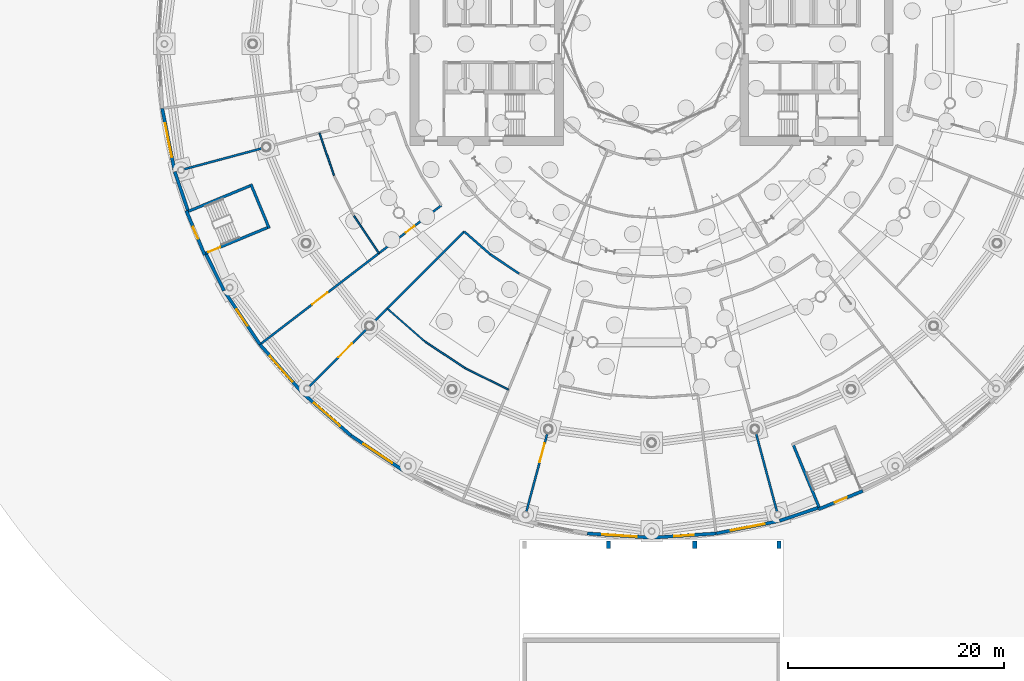
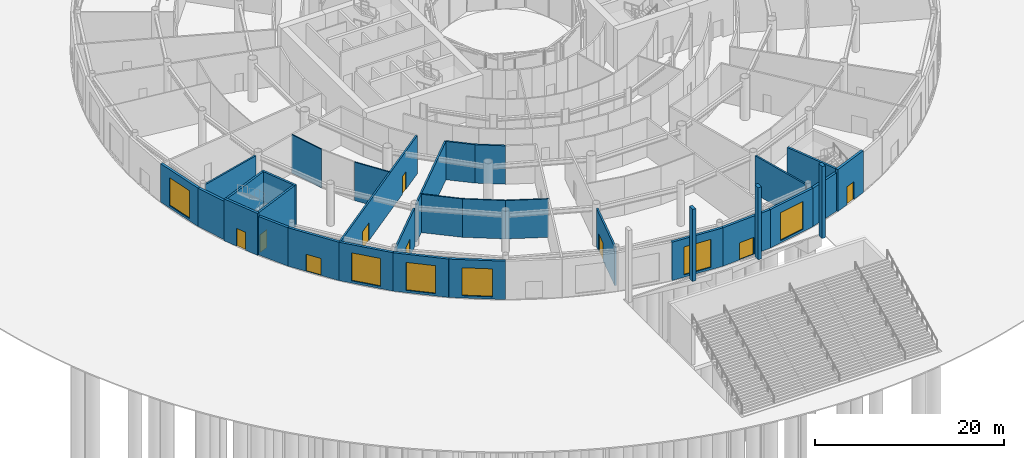
# One storey, part 18 of 41: 33 walls, 9 doors, 6 windows, 15 openings.
"""IFC4 building model written with IfcOpenShell, lengths in metres."""

from ifc_helpers import new_model, si_unit, direction, frame, frame_2d, origin, place, context, subcontext, project, spatial, rectangle, extrude, material, layer, layer_set, type_object, element, fill, save


model = new_model("IFC4")

# Units and contexts
model_context = context("Model", 3, precision=1e-05, world=origin(), true_north=direction((0.0, 1.0)))
body_context = subcontext(model_context, "Body", "Model", "MODEL_VIEW")
ifc_project = project(units=[si_unit("LENGTHUNIT", "METRE"), si_unit("AREAUNIT", "SQUARE_METRE"), si_unit("VOLUMEUNIT", "CUBIC_METRE"), si_unit("PLANEANGLEUNIT", "RADIAN"), si_unit("MASSUNIT", "GRAM", prefix="KILO")], contexts=[model_context])

# Site, building, storey
site_placement = place(None, origin())
site = spatial("IfcSite", under=ifc_project, at=site_placement, CompositionType="ELEMENT")
building_placement = place(site_placement, origin())
building = spatial("IfcBuilding", under=site, at=building_placement, Name="Maasbend Ring Residences", CompositionType="ELEMENT")
storey_placement = place(building_placement, origin())
storey = spatial("IfcBuildingStorey", under=building, at=storey_placement, Name="L00", CompositionType="ELEMENT", Elevation=0.0)

# Wall
ifc_material_1 = material(Name="Concrete C70/85", Category="concrete")
ifc_layer_1 = layer(ifc_material_1, 0.25)
ifc_layer_set_1 = layer_set([ifc_layer_1], Name="Concrete C70/85")
wall_type_1 = type_object("IfcWallType", Name="CORE WALL 250 C70/85", PredefinedType="SHEAR", material=ifc_layer_set_1)
wall_1_placement = place(storey_placement, frame((13.06103515625, -37.019775390625, 0.0), z_axis=(0.0, 0.0, 1.0), x_axis=(0.38267940576, -0.923881200375, 0.0)))
element("IfcWall", 1, at=wall_1_placement, inside=storey, type_object=wall_type_1, Name="L00 ST-P2 enclosure wall WS-", PredefinedType="SHEAR", context=body_context, shape_type="SweptSolid", body=[
    extrude(rectangle(XDim=6.449951171875, YDim=0.25, at=frame_2d((3.22509765625, 0.0))), origin(), (0.0, 0.0, 1.0), 5.39990234375),
])

# Wall, opening, door
wall_2_placement = place(storey_placement, frame((-41.37158203125, -19.40966796875, 0.0), z_axis=(0.0, 0.0, 1.0), x_axis=(0.923886743203, 0.382666023753, 0.0)))
wall_2 = element("IfcWall", 2, at=wall_2_placement, inside=storey, type_object=wall_type_1, Name="L00 ST-P6 enclosure wall WS+", PredefinedType="SHEAR", context=body_context, shape_type="SweptSolid", body=[
    extrude(rectangle(XDim=6.4501953125, YDim=0.25, at=frame_2d((3.22509765625, 0.0))), origin(), (0.0, 0.0, 1.0), 5.39990234375),
])
opening_1_placement = place(wall_2_placement, frame((0.25, 0.0, 0.0)))
opening_1 = element("IfcOpeningElement", 3, at=opening_1_placement, cuts=wall_2, Name="Opening D-P600S", PredefinedType="OPENING", context=body_context, shape_type="SweptSolid", body=[
    extrude(rectangle(XDim=1.199951171875, YDim=2.300048828125, at=frame_2d((0.60009765625, 1.14990234375))), frame((0.0, 0.135009765625, 0.0), z_axis=(0.0, -1.0, 0.0), x_axis=(1.0, 0.0, 0.0)), (0.0, 0.0, 1.0), 0.27001953125),
])
ifc_material_2 = material(Name="Steel, powder coated", Category="steel")
door_type_1 = type_object("IfcDoorType", Name="STAIR DOOR 1200 X 2300 FD60", OperationType="NOTDEFINED", PredefinedType="DOOR", material=ifc_material_2)
door_1_placement = place(opening_1_placement, origin())
door_1 = element("IfcDoor", 4, at=door_1_placement, inside=storey, type_object=door_type_1, Name="Stair door ST-P6 L00", OperationType="SINGLE_SWING_RIGHT", OverallHeight=2.300048828125, OverallWidth=1.199951171875, PredefinedType="DOOR", context=body_context, shape_type="SweptSolid", body=[
    extrude(rectangle(XDim=1.199951171875, YDim=2.300048828125, at=frame_2d((0.60009765625, 1.14990234375))), frame((0.0, 0.02490234375, 0.0), z_axis=(0.0, -1.0, 0.0), x_axis=(1.0, 0.0, 0.0)), (0.0, 0.0, 1.0), 0.050048828125),
])
fill(opening_1, door_1)

# Walls
wall_3_placement = place(storey_placement, frame((-37.019775390625, -13.06103515625, 0.0), z_axis=(0.0, 0.0, 1.0), x_axis=(-0.923881200375, -0.38267940576, 0.0)))
element("IfcWall", 5, at=wall_3_placement, inside=storey, type_object=wall_type_1, Name="L00 ST-P6 enclosure wall WS-", PredefinedType="SHEAR", context=body_context, shape_type="SweptSolid", body=[
    extrude(rectangle(XDim=6.449951171875, YDim=0.25, at=frame_2d((3.22509765625, 0.0))), origin(), (0.0, 0.0, 1.0), 5.39990234375),
])
wall_4_placement = place(storey_placement, frame((-37.18310546875, -12.993408203125, 0.0), z_axis=(0.0, 0.0, 1.0), x_axis=(0.382713570591, -0.923867048273, 0.0)))
element("IfcWall", 6, at=wall_4_placement, inside=storey, type_object=wall_type_1, Name="L00 ST-P6 enclosure wall WIN", PredefinedType="SHEAR", context=body_context, shape_type="SweptSolid", body=[
    extrude(rectangle(XDim=4.4501953125, YDim=0.25, at=frame_2d((2.22509765625, 0.0))), origin(), (0.0, 0.0, 1.0), 5.39990234375),
])

# Wall, opening, door
ifc_material_3 = material(Name="Concrete C70/85", Category="concrete")
ifc_layer_2 = layer(ifc_material_3, 0.300048828125)
ifc_layer_set_2 = layer_set([ifc_layer_2], Name="Concrete C70/85")
wall_type_2 = type_object("IfcWallType", Name="CORE WALL 300 C70/85", PredefinedType="SHEAR", material=ifc_layer_set_2)
wall_5_placement = place(storey_placement, frame((19.58251953125, -41.462158203125, 0.0), z_axis=(0.0, 0.0, 1.0), x_axis=(-0.923886445216, -0.382666743194, 0.0)))
wall_5 = element("IfcWall", 7, at=wall_5_placement, inside=storey, type_object=wall_type_2, Name="L00 ST-P2 enclosure wall WOUT", PredefinedType="SHEAR", context=body_context, shape_type="SweptSolid", body=[
    extrude(rectangle(XDim=4.449951171875, YDim=0.300048828125, at=frame_2d((2.22509765625, 0.0))), origin(), (0.0, 0.0, 1.0), 5.39990234375),
])
opening_2_placement = place(wall_5_placement, frame((1.625, 0.0, 0.0)))
opening_2 = element("IfcOpeningElement", 8, at=opening_2_placement, cuts=wall_5, Name="Opening D-P200O", PredefinedType="OPENING", context=body_context, shape_type="SweptSolid", body=[
    extrude(rectangle(XDim=1.199951171875, YDim=2.300048828125, at=frame_2d((0.60009765625, 1.14990234375))), frame((0.0, 0.16015625, 0.0), z_axis=(0.0, -1.0, 0.0), x_axis=(1.0, 0.0, 0.0)), (0.0, 0.0, 1.0), 0.320068359375),
])
door_2_placement = place(opening_2_placement, origin())
door_2 = element("IfcDoor", 9, at=door_2_placement, inside=storey, type_object=door_type_1, Name="Stair door ST-P2 L00", OperationType="SINGLE_SWING_LEFT", OverallHeight=2.300048828125, OverallWidth=1.199951171875, PredefinedType="DOOR", context=body_context, shape_type="SweptSolid", body=[
    extrude(rectangle(XDim=1.199951171875, YDim=2.300048828125, at=frame_2d((0.60009765625, 1.14990234375))), frame((0.0, 0.02490234375, 0.0), z_axis=(0.0, -1.0, 0.0), x_axis=(1.0, 0.0, 0.0)), (0.0, 0.0, 1.0), 0.050048828125),
])
fill(opening_2, door_2)

wall_6_placement = place(storey_placement, frame((-41.462158203125, -19.58251953125, 0.0), z_axis=(0.0, 0.0, 1.0), x_axis=(-0.382666743194, 0.923886445216, 0.0)))
wall_6 = element("IfcWall", 10, at=wall_6_placement, inside=storey, type_object=wall_type_2, Name="L00 ST-P6 enclosure wall WOUT", PredefinedType="SHEAR", context=body_context, shape_type="SweptSolid", body=[
    extrude(rectangle(XDim=4.449951171875, YDim=0.300048828125, at=frame_2d((2.22509765625, 0.0))), origin(), (0.0, 0.0, 1.0), 5.39990234375),
])
opening_3_placement = place(wall_6_placement, frame((1.625, 0.0, 0.0)))
opening_3 = element("IfcOpeningElement", 11, at=opening_3_placement, cuts=wall_6, Name="Opening D-P600O", PredefinedType="OPENING", context=body_context, shape_type="SweptSolid", body=[
    extrude(rectangle(XDim=1.199951171875, YDim=2.300048828125, at=frame_2d((0.60009765625, 1.14990234375))), frame((0.0, 0.16015625, 0.0), z_axis=(0.0, -1.0, 0.0), x_axis=(1.0, 0.0, 0.0)), (0.0, 0.0, 1.0), 0.320068359375),
])
door_3_placement = place(opening_3_placement, origin())
door_3 = element("IfcDoor", 12, at=door_3_placement, inside=storey, type_object=door_type_1, Name="Stair door ST-P6 L00", OperationType="SINGLE_SWING_LEFT", OverallHeight=2.300048828125, OverallWidth=1.199951171875, PredefinedType="DOOR", context=body_context, shape_type="SweptSolid", body=[
    extrude(rectangle(XDim=1.199951171875, YDim=2.300048828125, at=frame_2d((0.60009765625, 1.14990234375))), frame((0.0, 0.02490234375, 0.0), z_axis=(0.0, -1.0, 0.0), x_axis=(1.0, 0.0, 0.0)), (0.0, 0.0, 1.0), 0.050048828125),
])
fill(opening_3, door_3)

# Walls
ifc_material_4 = material(Name="Concrete C30/37", Category="concrete")
ifc_layer_3 = layer(ifc_material_4, 0.199951171875)
ifc_layer_set_3 = layer_set([ifc_layer_3], Name="Concrete C30/37")
wall_type_3 = type_object("IfcWallType", Name="CORRIDOR WALL 200 CONCRETE", PredefinedType="PARTITIONING", material=ifc_layer_set_3)
wall_7_placement = place(storey_placement, frame((-17.39501953125, -17.39501953125, 0.0), z_axis=(0.0, 0.0, 1.0), x_axis=(0.751880539175, -0.659299366608, 0.0)))
element("IfcWall", 13, at=wall_7_placement, inside=storey, type_object=wall_type_3, Name="U-L00-w023", PredefinedType="PARTITIONING", context=body_context, shape_type="SweptSolid", body=[
    extrude(rectangle(XDim=3.21728515625, YDim=0.199951171875, at=frame_2d((1.608642578125, 0.0))), origin(), (0.0, 0.0, 1.0), 4.949951171875),
])
wall_8_placement = place(storey_placement, frame((-14.97607421875, -19.51611328125, 0.0), z_axis=(0.0, 0.0, 1.0), x_axis=(0.831501361433, -0.555522714148, 0.0)))
element("IfcWall", 14, at=wall_8_placement, inside=storey, type_object=wall_type_3, Name="U-L00-w024", PredefinedType="PARTITIONING", context=body_context, shape_type="SweptSolid", body=[
    extrude(rectangle(XDim=3.21826171875, YDim=0.199951171875, at=frame_2d((1.609130859375, 0.0))), origin(), (0.0, 0.0, 1.0), 4.949951171875),
])
wall_9_placement = place(storey_placement, frame((-43.3701171875, -11.6201171875, 0.0), z_axis=(0.0, 0.0, 1.0), x_axis=(0.965931198614, 0.25879899448, 0.0)))
element("IfcWall", 15, at=wall_9_placement, inside=storey, type_object=wall_type_3, Name="U-L00-w082", PredefinedType="PARTITIONING", context=body_context, shape_type="SweptSolid", body=[
    extrude(rectangle(XDim=7.500732421875, YDim=0.199951171875, at=frame_2d((3.75048828125, 0.0))), origin(), (0.0, 0.0, 1.0), 4.949951171875),
])

# Wall, openings, doors
wall_10_placement = place(storey_placement, frame((-36.248046875, -27.81103515625, 0.0), z_axis=(0.0, 0.0, 1.0), x_axis=(0.79344272645, 0.608644920987, 0.0)))
wall_10 = element("IfcWall", 16, at=wall_10_placement, inside=storey, type_object=wall_type_3, Name="U-L00-w086", PredefinedType="PARTITIONING", context=body_context, shape_type="SweptSolid", body=[
    extrude(rectangle(XDim=21.087646484375, YDim=0.199951171875, at=frame_2d((10.5439453125, 0.0))), origin(), (0.0, 0.0, 1.0), 4.949951171875),
])
opening_4_placement = place(wall_10_placement, frame((16.93798828125, 0.0, 0.0)))
opening_4 = element("IfcOpeningElement", 17, at=opening_4_placement, cuts=wall_10, Name="Opening D-0035", PredefinedType="OPENING", context=body_context, shape_type="SweptSolid", body=[
    extrude(rectangle(XDim=1.0, YDim=2.300048828125, at=frame_2d((0.5, 1.14990234375))), frame((0.0, 0.10986328125, 0.0), z_axis=(0.0, -1.0, 0.0), x_axis=(1.0, 0.0, 0.0)), (0.0, 0.0, 1.0), 0.219970703125),
])
opening_5_placement = place(wall_10_placement, frame((5.993896484375, 0.0, 0.0)))
opening_5 = element("IfcOpeningElement", 18, at=opening_5_placement, cuts=wall_10, Name="Opening D-0036", PredefinedType="OPENING", context=body_context, shape_type="SweptSolid", body=[
    extrude(rectangle(XDim=1.800048828125, YDim=2.300048828125, at=frame_2d((0.89990234375, 1.14990234375))), frame((0.0, 0.10986328125, 0.0), z_axis=(0.0, -1.0, 0.0), x_axis=(1.0, 0.0, 0.0)), (0.0, 0.0, 1.0), 0.219970703125),
])
ifc_material_5 = material(Name="Timber, painted", Category="wood")
door_type_2 = type_object("IfcDoorType", Name="DOUBLE DOOR 1800 X 2300", OperationType="NOTDEFINED", PredefinedType="DOOR", material=ifc_material_5)
door_4_placement = place(opening_5_placement, origin())
door_4 = element("IfcDoor", 19, at=door_4_placement, inside=storey, type_object=door_type_2, Name="D-0036", OperationType="DOUBLE_DOOR_SINGLE_SWING", OverallHeight=2.300048828125, OverallWidth=1.800048828125, PredefinedType="DOOR", context=body_context, shape_type="SweptSolid", body=[
    extrude(rectangle(XDim=1.800048828125, YDim=2.300048828125, at=frame_2d((0.89990234375, 1.14990234375))), frame((0.0, 0.02490234375, 0.0), z_axis=(0.0, -1.0, 0.0), x_axis=(1.0, 0.0, 0.0)), (0.0, 0.0, 1.0), 0.050048828125),
])
fill(opening_5, door_4)
ifc_material_6 = material(Name="Timber, painted", Category="wood")
door_type_3 = type_object("IfcDoorType", Name="ROOM DOOR 1000 X 2300", OperationType="NOTDEFINED", PredefinedType="DOOR", material=ifc_material_6)
door_5_placement = place(opening_4_placement, origin())
door_5 = element("IfcDoor", 20, at=door_5_placement, inside=storey, type_object=door_type_3, Name="D-0035", OperationType="SINGLE_SWING_RIGHT", OverallHeight=2.300048828125, OverallWidth=1.0, PredefinedType="DOOR", context=body_context, shape_type="SweptSolid", body=[
    extrude(rectangle(XDim=1.0, YDim=2.300048828125, at=frame_2d((0.5, 1.14990234375))), frame((0.0, 0.02490234375, 0.0), z_axis=(0.0, -1.0, 0.0), x_axis=(1.0, 0.0, 0.0)), (0.0, 0.0, 1.0), 0.050048828125),
])
fill(opening_4, door_5)

# Wall, opening, door
wall_11_placement = place(storey_placement, frame((-31.74609375, -31.74609375, 0.0), z_axis=(0.0, 0.0, 1.0), x_axis=(0.707106781187, 0.707106781187, 0.0)))
wall_11 = element("IfcWall", 21, at=wall_11_placement, inside=storey, type_object=wall_type_3, Name="U-L00-w089", PredefinedType="PARTITIONING", context=body_context, shape_type="SweptSolid", body=[
    extrude(rectangle(XDim=7.489990234375, YDim=0.199951171875, at=frame_2d((3.7451171875, 0.0))), origin(), (0.0, 0.0, 1.0), 4.949951171875),
])
opening_6_placement = place(wall_11_placement, frame((3.794921875, 0.0, 0.0)))
opening_6 = element("IfcOpeningElement", 22, at=opening_6_placement, cuts=wall_11, Name="Opening D-0038", PredefinedType="OPENING", context=body_context, shape_type="SweptSolid", body=[
    extrude(rectangle(XDim=1.800048828125, YDim=2.300048828125, at=frame_2d((0.89990234375, 1.14990234375))), frame((0.0, 0.10986328125, 0.0), z_axis=(0.0, -1.0, 0.0), x_axis=(1.0, 0.0, 0.0)), (0.0, 0.0, 1.0), 0.219970703125),
])
door_6_placement = place(opening_6_placement, origin())
door_6 = element("IfcDoor", 23, at=door_6_placement, inside=storey, type_object=door_type_2, Name="D-0038", OperationType="DOUBLE_DOOR_SINGLE_SWING", OverallHeight=2.300048828125, OverallWidth=1.800048828125, PredefinedType="DOOR", context=body_context, shape_type="SweptSolid", body=[
    extrude(rectangle(XDim=1.800048828125, YDim=2.300048828125, at=frame_2d((0.89990234375, 1.14990234375))), frame((0.0, 0.02490234375, 0.0), z_axis=(0.0, -1.0, 0.0), x_axis=(1.0, 0.0, 0.0)), (0.0, 0.0, 1.0), 0.050048828125),
])
fill(opening_6, door_6)

# Wall
wall_12_placement = place(storey_placement, frame((-25.8759765625, -25.8759765625, 0.0), z_axis=(0.0, 0.0, 1.0), x_axis=(0.707106781187, 0.707106781187, 0.0)))
element("IfcWall", 24, at=wall_12_placement, inside=storey, type_object=wall_type_3, Name="U-L00-w093", PredefinedType="PARTITIONING", context=body_context, shape_type="SweptSolid", body=[
    extrude(rectangle(XDim=11.993896484375, YDim=0.199951171875, at=frame_2d((5.9970703125, 0.0))), origin(), (0.0, 0.0, 1.0), 4.949951171875),
])

# Wall, opening, door
wall_13_placement = place(storey_placement, frame((-11.62109375, -43.3701171875, 0.0), z_axis=(0.0, 0.0, 1.0), x_axis=(0.25879899448, 0.965931198614, 0.0)))
wall_13 = element("IfcWall", 25, at=wall_13_placement, inside=storey, type_object=wall_type_3, Name="U-L00-w099", PredefinedType="PARTITIONING", context=body_context, shape_type="SweptSolid", body=[
    extrude(rectangle(XDim=7.500732421875, YDim=0.199951171875, at=frame_2d((3.75048828125, 0.0))), origin(), (0.0, 0.0, 1.0), 4.949951171875),
])
opening_7_placement = place(wall_13_placement, frame((4.756103515625, 0.0, 0.0)))
opening_7 = element("IfcOpeningElement", 26, at=opening_7_placement, cuts=wall_13, Name="Opening D-0040", PredefinedType="OPENING", context=body_context, shape_type="SweptSolid", body=[
    extrude(rectangle(XDim=1.800048828125, YDim=2.300048828125, at=frame_2d((0.89990234375, 1.14990234375))), frame((0.0, 0.10986328125, 0.0), z_axis=(0.0, -1.0, 0.0), x_axis=(1.0, 0.0, 0.0)), (0.0, 0.0, 1.0), 0.219970703125),
])
door_7_placement = place(opening_7_placement, origin())
door_7 = element("IfcDoor", 27, at=door_7_placement, inside=storey, type_object=door_type_2, Name="D-0040", OperationType="DOUBLE_DOOR_SINGLE_SWING", OverallHeight=2.300048828125, OverallWidth=1.800048828125, PredefinedType="DOOR", context=body_context, shape_type="SweptSolid", body=[
    extrude(rectangle(XDim=1.800048828125, YDim=2.300048828125, at=frame_2d((0.89990234375, 1.14990234375))), frame((0.0, 0.02490234375, 0.0), z_axis=(0.0, -1.0, 0.0), x_axis=(1.0, 0.0, 0.0)), (0.0, 0.0, 1.0), 0.050048828125),
])
fill(opening_7, door_7)

# Wall
wall_14_placement = place(storey_placement, frame((9.679931640625, -36.125, 0.0), z_axis=(0.0, 0.0, 1.0), x_axis=(0.25879899448, -0.965931198614, 0.0)))
element("IfcWall", 28, at=wall_14_placement, inside=storey, type_object=wall_type_3, Name="U-L00-w118", PredefinedType="PARTITIONING", context=body_context, shape_type="SweptSolid", body=[
    extrude(rectangle(XDim=7.500732421875, YDim=0.199951171875, at=frame_2d((3.75048828125, 0.0))), origin(), (0.0, 0.0, 1.0), 4.949951171875),
])

# Wall, opening, window
ifc_material_7 = material(Name="Pale anodised aluminium panel", Category="aluminium")
ifc_layer_4 = layer(ifc_material_7, 0.300048828125)
ifc_layer_set_4 = layer_set([ifc_layer_4], Name="EW-BASE")
wall_type_4 = type_object("IfcWallType", Name="EW-BASE", PredefinedType="SOLIDWALL", material=ifc_layer_set_4)
wall_15_placement = place(storey_placement, frame((-45.407958984375, -5.97802734375, 0.0), z_axis=(0.0, 0.0, 1.0), x_axis=(0.195112945602, -0.980780780021, 0.0)))
wall_15 = element("IfcWall", 29, at=wall_15_placement, inside=storey, type_object=wall_type_4, Name="Base block wall 26", PredefinedType="SOLIDWALL", context=body_context, shape_type="SweptSolid", body=[
    extrude(rectangle(XDim=5.9912109375, YDim=0.300048828125, at=frame_2d((2.99560546875, 0.0))), origin(), (0.0, 0.0, 1.0), 4.949951171875),
])
opening_8_placement = place(wall_15_placement, frame((1.3955078125, 0.0, 0.300048828125)))
opening_8 = element("IfcOpeningElement", 30, at=opening_8_placement, cuts=wall_15, Name="Opening W-SF", PredefinedType="OPENING", context=body_context, shape_type="SweptSolid", body=[
    extrude(rectangle(XDim=3.199951171875, YDim=3.60009765625, at=frame_2d((1.60009765625, 1.800048828125))), frame((0.0, 0.16015625, 0.0), z_axis=(0.0, -1.0, 0.0), x_axis=(1.0, 0.0, 0.0)), (0.0, 0.0, 1.0), 0.320068359375),
])
ifc_material_8 = material(Name="Aluminium and clear glass", Category="aluminium")
window_type = type_object("IfcWindowType", Name="W-SF", PartitioningType="SINGLE_PANEL", PredefinedType="WINDOW", material=ifc_material_8)
window_1_placement = place(opening_8_placement, origin())
window_1 = element("IfcWindow", 31, at=window_1_placement, inside=storey, type_object=window_type, Name="Shopfront 26", OverallHeight=3.60009765625, OverallWidth=3.199951171875, PartitioningType="SINGLE_PANEL", PredefinedType="WINDOW", context=body_context, shape_type="SweptSolid", body=[
    extrude(rectangle(XDim=3.199951171875, YDim=3.60009765625, at=frame_2d((1.60009765625, 1.800048828125))), frame((0.0, 0.030029296875, 0.0), z_axis=(0.0, -1.0, 0.0), x_axis=(1.0, 0.0, 0.0)), (0.0, 0.0, 1.0), 0.06005859375),
])
fill(opening_8, window_1)

# Walls
wall_16_placement = place(storey_placement, frame((-44.239013671875, -11.85400390625, 0.0), z_axis=(0.0, 0.0, 1.0), x_axis=(0.321481387979, -0.946915897629, 0.0)))
element("IfcWall", 32, at=wall_16_placement, inside=storey, type_object=wall_type_4, Name="Base block wall 27a", PredefinedType="SOLIDWALL", context=body_context, shape_type="SweptSolid", body=[
    extrude(rectangle(XDim=3.7607421875, YDim=0.300048828125, at=frame_2d((1.88037109375, 0.0))), origin(), (0.0, 0.0, 1.0), 4.949951171875),
])
wall_17_placement = place(storey_placement, frame((-41.326904296875, -19.527099609375, 0.0), z_axis=(0.0, 0.0, 1.0), x_axis=(0.44219447383, -0.896919197762, 0.0)))
element("IfcWall", 33, at=wall_17_placement, inside=storey, type_object=wall_type_4, Name="Base block wall 28a", PredefinedType="SOLIDWALL", context=body_context, shape_type="SweptSolid", body=[
    extrude(rectangle(XDim=3.760498046875, YDim=0.300048828125, at=frame_2d((1.88037109375, 0.0))), origin(), (0.0, 0.0, 1.0), 4.949951171875),
])

# Wall, opening, door
wall_18_placement = place(storey_placement, frame((-39.6640625, -22.89990234375, 0.0), z_axis=(0.0, 0.0, 1.0), x_axis=(0.55554631985, -0.831485590074, 0.0)))
wall_18 = element("IfcWall", 34, at=wall_18_placement, inside=storey, type_object=wall_type_4, Name="Base block wall 29", PredefinedType="SOLIDWALL", context=body_context, shape_type="SweptSolid", body=[
    extrude(rectangle(XDim=5.99072265625, YDim=0.300048828125, at=frame_2d((2.995361328125, 0.0))), origin(), (0.0, 0.0, 1.0), 4.949951171875),
])
opening_9_placement = place(wall_18_placement, frame((2.095458984375, 0.0, 0.0)))
opening_9 = element("IfcOpeningElement", 35, at=opening_9_placement, cuts=wall_18, Name="Opening D-EX", PredefinedType="OPENING", context=body_context, shape_type="SweptSolid", body=[
    extrude(rectangle(XDim=1.800048828125, YDim=2.199951171875, at=frame_2d((0.89990234375, 1.10009765625))), frame((0.0, 0.16015625, 0.0), z_axis=(0.0, -1.0, 0.0), x_axis=(1.0, 0.0, 0.0)), (0.0, 0.0, 1.0), 0.320068359375),
])
ifc_material_9 = material(Name="Aluminium and clear glass", Category="aluminium")
door_type_4 = type_object("IfcDoorType", Name="D-EX", OperationType="DOUBLE_DOOR_SINGLE_SWING", PredefinedType="DOOR", material=ifc_material_9)
door_8_placement = place(opening_9_placement, origin())
door_8 = element("IfcDoor", 36, at=door_8_placement, inside=storey, type_object=door_type_4, Name="Exit door 29", OperationType="SINGLE_SWING_LEFT", OverallHeight=2.199951171875, OverallWidth=1.800048828125, PredefinedType="DOOR", context=body_context, shape_type="SweptSolid", body=[
    extrude(rectangle(XDim=1.800048828125, YDim=2.199951171875, at=frame_2d((0.89990234375, 1.10009765625))), frame((0.0, 0.02490234375, 0.0), z_axis=(0.0, -1.0, 0.0), x_axis=(1.0, 0.0, 0.0)), (0.0, 0.0, 1.0), 0.050048828125),
])
fill(opening_9, door_8)

# Wall, opening, window
wall_19_placement = place(storey_placement, frame((-36.3359375, -27.881103515625, 0.0), z_axis=(0.0, 0.0, 1.0), x_axis=(0.659450342916, -0.751748126189, 0.0)))
wall_19 = element("IfcWall", 37, at=wall_19_placement, inside=storey, type_object=wall_type_4, Name="Base block wall 30", PredefinedType="SOLIDWALL", context=body_context, shape_type="SweptSolid", body=[
    extrude(rectangle(XDim=5.9912109375, YDim=0.300048828125, at=frame_2d((2.99560546875, 0.0))), origin(), (0.0, 0.0, 1.0), 4.949951171875),
])
opening_10_placement = place(wall_19_placement, frame((1.3955078125, 0.0, 0.300048828125)))
opening_10 = element("IfcOpeningElement", 38, at=opening_10_placement, cuts=wall_19, Name="Opening W-SF", PredefinedType="OPENING", context=body_context, shape_type="SweptSolid", body=[
    extrude(rectangle(XDim=3.199951171875, YDim=3.60009765625, at=frame_2d((1.60009765625, 1.800048828125))), frame((0.0, 0.16015625, 0.0), z_axis=(0.0, -1.0, 0.0), x_axis=(1.0, 0.0, 0.0)), (0.0, 0.0, 1.0), 0.320068359375),
])
window_2_placement = place(opening_10_placement, origin())
window_2 = element("IfcWindow", 39, at=window_2_placement, inside=storey, type_object=window_type, Name="Shopfront 30", OverallHeight=3.60009765625, OverallWidth=3.199951171875, PartitioningType="SINGLE_PANEL", PredefinedType="WINDOW", context=body_context, shape_type="SweptSolid", body=[
    extrude(rectangle(XDim=3.199951171875, YDim=3.60009765625, at=frame_2d((1.60009765625, 1.800048828125))), frame((0.0, 0.030029296875, 0.0), z_axis=(0.0, -1.0, 0.0), x_axis=(1.0, 0.0, 0.0)), (0.0, 0.0, 1.0), 0.06005859375),
])
fill(opening_10, window_2)

wall_20_placement = place(storey_placement, frame((-32.385009765625, -32.385009765625, 0.0), z_axis=(0.0, 0.0, 1.0), x_axis=(0.751748126189, -0.659450342916, 0.0)))
wall_20 = element("IfcWall", 40, at=wall_20_placement, inside=storey, type_object=wall_type_4, Name="Base block wall 31", PredefinedType="SOLIDWALL", context=body_context, shape_type="SweptSolid", body=[
    extrude(rectangle(XDim=5.9912109375, YDim=0.300048828125, at=frame_2d((2.99560546875, 0.0))), origin(), (0.0, 0.0, 1.0), 4.949951171875),
])
opening_11_placement = place(wall_20_placement, frame((1.3955078125, 0.0, 0.300048828125)))
opening_11 = element("IfcOpeningElement", 41, at=opening_11_placement, cuts=wall_20, Name="Opening W-SF", PredefinedType="OPENING", context=body_context, shape_type="SweptSolid", body=[
    extrude(rectangle(XDim=3.199951171875, YDim=3.60009765625, at=frame_2d((1.60009765625, 1.800048828125))), frame((0.0, 0.16015625, 0.0), z_axis=(0.0, -1.0, 0.0), x_axis=(1.0, 0.0, 0.0)), (0.0, 0.0, 1.0), 0.320068359375),
])
window_3_placement = place(opening_11_placement, origin())
window_3 = element("IfcWindow", 42, at=window_3_placement, inside=storey, type_object=window_type, Name="Shopfront 31", OverallHeight=3.60009765625, OverallWidth=3.199951171875, PartitioningType="SINGLE_PANEL", PredefinedType="WINDOW", context=body_context, shape_type="SweptSolid", body=[
    extrude(rectangle(XDim=3.199951171875, YDim=3.60009765625, at=frame_2d((1.60009765625, 1.800048828125))), frame((0.0, 0.030029296875, 0.0), z_axis=(0.0, -1.0, 0.0), x_axis=(1.0, 0.0, 0.0)), (0.0, 0.0, 1.0), 0.06005859375),
])
fill(opening_11, window_3)

wall_21_placement = place(storey_placement, frame((-27.881103515625, -36.3359375, 0.0), z_axis=(0.0, 0.0, 1.0), x_axis=(0.831485590074, -0.55554631985, 0.0)))
wall_21 = element("IfcWall", 43, at=wall_21_placement, inside=storey, type_object=wall_type_4, Name="Base block wall 32", PredefinedType="SOLIDWALL", context=body_context, shape_type="SweptSolid", body=[
    extrude(rectangle(XDim=5.99072265625, YDim=0.300048828125, at=frame_2d((2.995361328125, 0.0))), origin(), (0.0, 0.0, 1.0), 4.949951171875),
])
opening_12_placement = place(wall_21_placement, frame((1.3955078125, 0.0, 0.300048828125)))
opening_12 = element("IfcOpeningElement", 44, at=opening_12_placement, cuts=wall_21, Name="Opening W-SF", PredefinedType="OPENING", context=body_context, shape_type="SweptSolid", body=[
    extrude(rectangle(XDim=3.199951171875, YDim=3.60009765625, at=frame_2d((1.60009765625, 1.800048828125))), frame((0.0, 0.16015625, 0.0), z_axis=(0.0, -1.0, 0.0), x_axis=(1.0, 0.0, 0.0)), (0.0, 0.0, 1.0), 0.320068359375),
])
window_4_placement = place(opening_12_placement, origin())
window_4 = element("IfcWindow", 45, at=window_4_placement, inside=storey, type_object=window_type, Name="Shopfront 32", OverallHeight=3.60009765625, OverallWidth=3.199951171875, PartitioningType="SINGLE_PANEL", PredefinedType="WINDOW", context=body_context, shape_type="SweptSolid", body=[
    extrude(rectangle(XDim=3.199951171875, YDim=3.60009765625, at=frame_2d((1.60009765625, 1.800048828125))), frame((0.0, 0.030029296875, 0.0), z_axis=(0.0, -1.0, 0.0), x_axis=(1.0, 0.0, 0.0)), (0.0, 0.0, 1.0), 0.06005859375),
])
fill(opening_12, window_4)

wall_22_placement = place(storey_placement, frame((-5.97802734375, -45.407958984375, 0.0), z_axis=(0.0, 0.0, 1.0), x_axis=(0.9978559893, -0.065447877106, 0.0)))
wall_22 = element("IfcWall", 46, at=wall_22_placement, inside=storey, type_object=wall_type_4, Name="Base block wall 36", PredefinedType="SOLIDWALL", context=body_context, shape_type="SweptSolid", body=[
    extrude(rectangle(XDim=5.990966796875, YDim=0.300048828125, at=frame_2d((2.99560546875, 0.0))), origin(), (0.0, 0.0, 1.0), 4.949951171875),
])
opening_13_placement = place(wall_22_placement, frame((1.3955078125, 0.0, 0.300048828125)))
opening_13 = element("IfcOpeningElement", 47, at=opening_13_placement, cuts=wall_22, Name="Opening W-SF", PredefinedType="OPENING", context=body_context, shape_type="SweptSolid", body=[
    extrude(rectangle(XDim=3.199951171875, YDim=3.60009765625, at=frame_2d((1.60009765625, 1.800048828125))), frame((0.0, 0.16015625, 0.0), z_axis=(0.0, -1.0, 0.0), x_axis=(1.0, 0.0, 0.0)), (0.0, 0.0, 1.0), 0.320068359375),
])
window_5_placement = place(opening_13_placement, origin())
window_5 = element("IfcWindow", 48, at=window_5_placement, inside=storey, type_object=window_type, Name="Shopfront 36", OverallHeight=3.60009765625, OverallWidth=3.199951171875, PartitioningType="SINGLE_PANEL", PredefinedType="WINDOW", context=body_context, shape_type="SweptSolid", body=[
    extrude(rectangle(XDim=3.199951171875, YDim=3.60009765625, at=frame_2d((1.60009765625, 1.800048828125))), frame((0.0, 0.030029296875, 0.0), z_axis=(0.0, -1.0, 0.0), x_axis=(1.0, 0.0, 0.0)), (0.0, 0.0, 1.0), 0.06005859375),
])
fill(opening_13, window_5)

# Wall, opening, door
wall_23_placement = place(storey_placement, frame((0.0, -45.800048828125, 0.0), z_axis=(0.0, 0.0, 1.0), x_axis=(0.9978559893, 0.065447877106, 0.0)))
wall_23 = element("IfcWall", 49, at=wall_23_placement, inside=storey, type_object=wall_type_4, Name="Base block wall 37", PredefinedType="SOLIDWALL", context=body_context, shape_type="SweptSolid", body=[
    extrude(rectangle(XDim=5.990966796875, YDim=0.300048828125, at=frame_2d((2.99560546875, 0.0))), origin(), (0.0, 0.0, 1.0), 4.949951171875),
])
opening_14_placement = place(wall_23_placement, frame((2.095458984375, 0.0, 0.0)))
opening_14 = element("IfcOpeningElement", 50, at=opening_14_placement, cuts=wall_23, Name="Opening D-EX", PredefinedType="OPENING", context=body_context, shape_type="SweptSolid", body=[
    extrude(rectangle(XDim=1.800048828125, YDim=2.199951171875, at=frame_2d((0.89990234375, 1.10009765625))), frame((0.0, 0.16015625, 0.0), z_axis=(0.0, -1.0, 0.0), x_axis=(1.0, 0.0, 0.0)), (0.0, 0.0, 1.0), 0.320068359375),
])
door_9_placement = place(opening_14_placement, origin())
door_9 = element("IfcDoor", 51, at=door_9_placement, inside=storey, type_object=door_type_4, Name="Exit door 37", OperationType="SINGLE_SWING_LEFT", OverallHeight=2.199951171875, OverallWidth=1.800048828125, PredefinedType="DOOR", context=body_context, shape_type="SweptSolid", body=[
    extrude(rectangle(XDim=1.800048828125, YDim=2.199951171875, at=frame_2d((0.89990234375, 1.10009765625))), frame((0.0, 0.02490234375, 0.0), z_axis=(0.0, -1.0, 0.0), x_axis=(1.0, 0.0, 0.0)), (0.0, 0.0, 1.0), 0.050048828125),
])
fill(opening_14, door_9)

# Wall, opening, window
wall_24_placement = place(storey_placement, frame((5.97802734375, -45.407958984375, 0.0), z_axis=(0.0, 0.0, 1.0), x_axis=(0.980780780021, 0.195112945602, 0.0)))
wall_24 = element("IfcWall", 52, at=wall_24_placement, inside=storey, type_object=wall_type_4, Name="Base block wall 38", PredefinedType="SOLIDWALL", context=body_context, shape_type="SweptSolid", body=[
    extrude(rectangle(XDim=5.9912109375, YDim=0.300048828125, at=frame_2d((2.99560546875, 0.0))), origin(), (0.0, 0.0, 1.0), 4.949951171875),
])
opening_15_placement = place(wall_24_placement, frame((1.3955078125, 0.0, 0.300048828125)))
opening_15 = element("IfcOpeningElement", 53, at=opening_15_placement, cuts=wall_24, Name="Opening W-SF", PredefinedType="OPENING", context=body_context, shape_type="SweptSolid", body=[
    extrude(rectangle(XDim=3.199951171875, YDim=3.60009765625, at=frame_2d((1.60009765625, 1.800048828125))), frame((0.0, 0.16015625, 0.0), z_axis=(0.0, -1.0, 0.0), x_axis=(1.0, 0.0, 0.0)), (0.0, 0.0, 1.0), 0.320068359375),
])
window_6_placement = place(opening_15_placement, origin())
window_6 = element("IfcWindow", 54, at=window_6_placement, inside=storey, type_object=window_type, Name="Shopfront 38", OverallHeight=3.60009765625, OverallWidth=3.199951171875, PartitioningType="SINGLE_PANEL", PredefinedType="WINDOW", context=body_context, shape_type="SweptSolid", body=[
    extrude(rectangle(XDim=3.199951171875, YDim=3.60009765625, at=frame_2d((1.60009765625, 1.800048828125))), frame((0.0, 0.030029296875, 0.0), z_axis=(0.0, -1.0, 0.0), x_axis=(1.0, 0.0, 0.0)), (0.0, 0.0, 1.0), 0.06005859375),
])
fill(opening_15, window_6)

# Walls
wall_25_placement = place(storey_placement, frame((11.85400390625, -44.239013671875, 0.0), z_axis=(0.0, 0.0, 1.0), x_axis=(0.946915897629, 0.321481387979, 0.0)))
element("IfcWall", 55, at=wall_25_placement, inside=storey, type_object=wall_type_4, Name="Base block wall 39a", PredefinedType="SOLIDWALL", context=body_context, shape_type="SweptSolid", body=[
    extrude(rectangle(XDim=3.7607421875, YDim=0.300048828125, at=frame_2d((1.88037109375, 0.0))), origin(), (0.0, 0.0, 1.0), 4.949951171875),
])
ifc_material_10 = material(Name="Gypsum board on steel studs", Category="steel")
ifc_layer_5 = layer(ifc_material_10, 0.14990234375)
ifc_layer_set_5 = layer_set([ifc_layer_5], Name="PARTITION 150 GYPSUM")
wall_type_5 = type_object("IfcWallType", Name="PARTITION 150 GYPSUM", PredefinedType="PARTITIONING", material=ifc_layer_set_5)
wall_26_placement = place(storey_placement, frame((-24.537109375, -24.537109375, 0.0), z_axis=(0.0, 0.0, 1.0), x_axis=(0.751976606299, -0.65918979329, 0.0)))
element("IfcWall", 56, at=wall_26_placement, inside=storey, type_object=wall_type_5, Name="U-L00-w004", PredefinedType="PARTITIONING", context=body_context, shape_type="SweptSolid", body=[
    extrude(rectangle(XDim=4.538818359375, YDim=0.14990234375, at=frame_2d((2.26953125, 0.0))), origin(), (0.0, 0.0, 1.0), 4.949951171875),
])
wall_27_placement = place(storey_placement, frame((-21.1240234375, -27.529052734375, 0.0), z_axis=(0.0, 0.0, 1.0), x_axis=(0.831437444522, -0.555618372488, 0.0)))
element("IfcWall", 57, at=wall_27_placement, inside=storey, type_object=wall_type_5, Name="U-L00-w005", PredefinedType="PARTITIONING", context=body_context, shape_type="SweptSolid", body=[
    extrude(rectangle(XDim=4.5390625, YDim=0.14990234375, at=frame_2d((2.26953125, 0.0))), origin(), (0.0, 0.0, 1.0), 4.949951171875),
])
wall_28_placement = place(storey_placement, frame((-17.35009765625, -30.051025390625, 0.0), z_axis=(0.0, 0.0, 1.0), x_axis=(0.896834335555, -0.442366561316, 0.0)))
element("IfcWall", 58, at=wall_28_placement, inside=storey, type_object=wall_type_5, Name="U-L00-w006", PredefinedType="PARTITIONING", context=body_context, shape_type="SweptSolid", body=[
    extrude(rectangle(XDim=4.539306640625, YDim=0.14990234375, at=frame_2d((2.26953125, 0.0))), origin(), (0.0, 0.0, 1.0), 4.949951171875),
])
wall_29_placement = place(storey_placement, frame((-30.81298828125, -8.256103515625, 0.0), z_axis=(0.0, 0.0, 1.0), x_axis=(0.321347869619, -0.9469612171, 0.0)))
element("IfcWall", 59, at=wall_29_placement, inside=storey, type_object=wall_type_5, Name="U-L00-w016", PredefinedType="PARTITIONING", context=body_context, shape_type="SweptSolid", body=[
    extrude(rectangle(XDim=4.17333984375, YDim=0.14990234375, at=frame_2d((2.086669921875, 0.0))), origin(), (0.0, 0.0, 1.0), 4.949951171875),
])
wall_30_placement = place(storey_placement, frame((-27.6259765625, -15.949951171875, 0.0), z_axis=(0.0, 0.0, 1.0), x_axis=(0.555564153908, -0.831473674203, 0.0)))
element("IfcWall", 60, at=wall_30_placement, inside=storey, type_object=wall_type_5, Name="U-L00-w018", PredefinedType="PARTITIONING", context=body_context, shape_type="SweptSolid", body=[
    extrude(rectangle(XDim=4.172119140625, YDim=0.14990234375, at=frame_2d((2.0859375, 0.0))), origin(), (0.0, 0.0, 1.0), 4.949951171875),
])
ifc_material_11 = material(Name="Concrete C30/37", Category="concrete")
ifc_layer_6 = layer(ifc_material_11, 0.39990234375)
ifc_layer_set_6 = layer_set([ifc_layer_6], Name="Concrete C30/37")
wall_type_6 = type_object("IfcWallType", Name="WALL-STEPS", PredefinedType="SOLIDWALL", material=ifc_layer_set_6)
for number, where, z_axis, x_axis, name in (
    (61, (-4.0, -46.800048828125, 0.0), (0.0, 0.0, 1.0), (0.0, 1.0, 0.0), "Steps top landing support wall"),
    (62, (4.0, -46.800048828125, 0.0), (0.0, 0.0, 1.0), (0.0, 1.0, 0.0), "Steps top landing support wall"),
    (63, (11.800048828125, -46.800048828125, 0.0), (0.0, 0.0, 1.0), (0.0, 1.0, 0.0), "Steps top landing support wall"),
):
    element("IfcWall", number, at=place(storey_placement, frame(where, z_axis=z_axis, x_axis=x_axis)), inside=storey, type_object=wall_type_6, Name=name, PredefinedType="SOLIDWALL", context=body_context, shape_type="SweptSolid", body=[
        extrude(rectangle(XDim=0.699951171875, YDim=0.39990234375, at=frame_2d((0.35009765625, 0.0))), origin(), (0.0, 0.0, 1.0), 9.300048828125),
    ])

save(model, "model.ifc")
